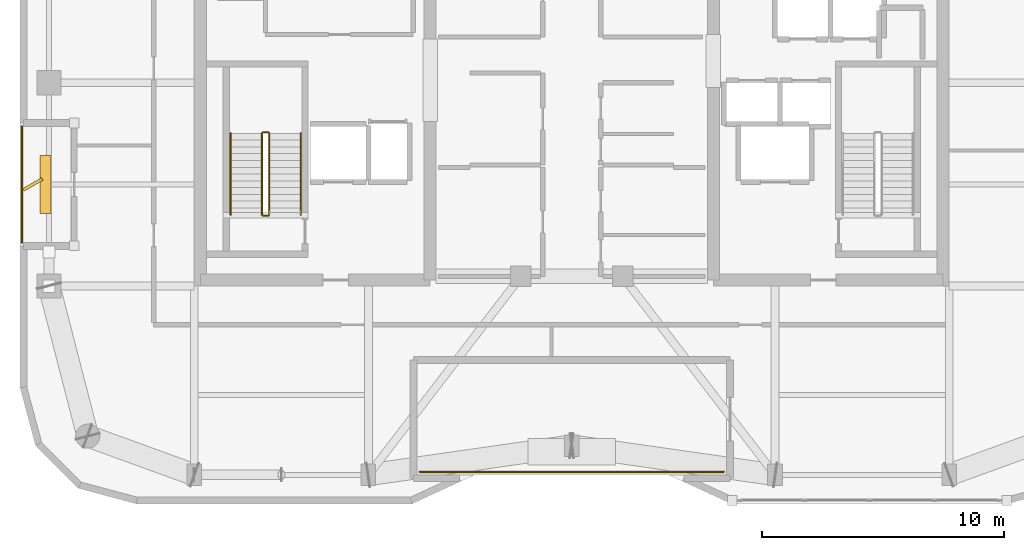
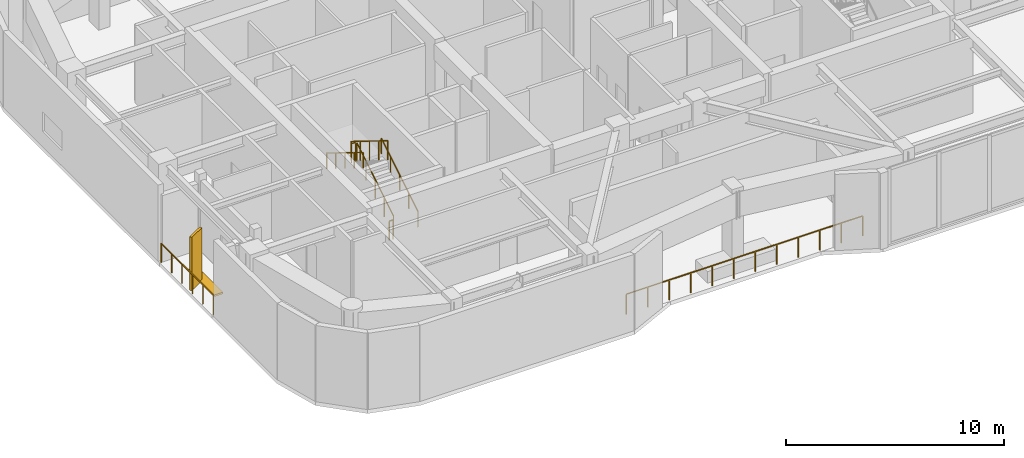
# One storey, part 13 of 14: 8 railings, 2 shading devices.
"""IFC4 building model written with IfcOpenShell, lengths in metres."""

import ifcopenshell
import ifcopenshell.guid

model = None  # the IFC model being written
_history = None  # IfcOwnerHistory: only IFC2X3 demands one
_inside = {}  # id of a spatial element -> (the spatial element, [elements in it])
_under = {}  # id of a project, library or spatial element -> (it, [spatial elements below it])
_declared = {}  # id of a project -> (the project, [libraries it declares])
_typed = {}  # id of a type object -> (the type object, [elements of that type])
_made_of = {}  # id of a material, layer set ... -> (it, [elements and type objects made of it])


def new_model(schema):
    """Start an empty IFC model of exactly this schema.

    Asked for "IFC4X3", IfcOpenShell would pick the latest addendum, in which some entities
    have other attributes; the version numbers below select the first issue.
    IFC2X3 requires an IfcOwnerHistory on every rooted entity: one is made here for all.
    """
    global model, _history
    if schema == "IFC4X3":
        model = ifcopenshell.file(schema_version=(4, 3, 0, 0))
    else:
        model = ifcopenshell.file(schema=schema)
    _inside.clear()
    _under.clear()
    _declared.clear()
    _typed.clear()
    _made_of.clear()
    _history = None
    if model.schema == "IFC2X3":
        org = make("IfcOrganization", Name="unknown")
        user = make(
            "IfcPersonAndOrganization",
            ThePerson=make("IfcPerson", FamilyName="unknown"),
            TheOrganization=org,
        )
        app = make(
            "IfcApplication",
            ApplicationDeveloper=org,
            Version="unknown",
            ApplicationFullName="unknown",
            ApplicationIdentifier="unknown",
        )
        _history = make(
            "IfcOwnerHistory",
            OwningUser=user,
            OwningApplication=app,
            ChangeAction="ADDED",
            CreationDate=0,
        )
    return model


def make(cls, **values):
    """One entity of the class cls with the attributes given. An attribute that is None is left unset."""
    return model.create_entity(
        cls, **{name: value for name, value in values.items() if value is not None}
    )


def rooted(cls, **values):
    """An entity with a GlobalId (a new one), such as an element, a storey or a relation."""
    return make(cls, GlobalId=ifcopenshell.guid.new(), OwnerHistory=_history, **values)


def si_unit(unit_type, name, prefix=None):
    """IfcSIUnit, for example si_unit("LENGTHUNIT", "METRE", prefix="MILLI")."""
    return make("IfcSIUnit", UnitType=unit_type, Prefix=prefix, Name=name)


def assignment(units):
    """IfcUnitAssignment: the units of a project."""
    return None if units is None else make("IfcUnitAssignment", Units=units)


def point(xyz):
    """IfcCartesianPoint."""
    return None if xyz is None else make("IfcCartesianPoint", Coordinates=xyz)


def direction(xyz):
    """IfcDirection."""
    return None if xyz is None else make("IfcDirection", DirectionRatios=xyz)


def frame(location, z_axis=None, x_axis=None):
    """IfcAxis2Placement3D, a coordinate frame: its origin and axes. An axis left out is left unset."""
    return make(
        "IfcAxis2Placement3D",
        Location=point(location),
        Axis=direction(z_axis),
        RefDirection=direction(x_axis),
    )


def frame_2d(location, x_axis=None):
    """IfcAxis2Placement2D, a coordinate frame in the plane: its origin and x axis."""
    return make(
        "IfcAxis2Placement2D", Location=point(location), RefDirection=direction(x_axis)
    )


def origin():
    """The frame at (0, 0, 0) with its axes left unset."""
    return frame((0.0, 0.0, 0.0))


def origin_2d():
    """The frame at (0, 0) in the plane with its x axis left unset."""
    return frame_2d((0.0, 0.0))


def place(relative_to, where):
    """IfcLocalPlacement: puts the frame where relative to a parent placement (None: the world)."""
    return make(
        "IfcLocalPlacement", PlacementRelTo=relative_to, RelativePlacement=where
    )


def context(
    kind, dimensions, precision=None, world=None, true_north=None, identifier=None
):
    """IfcGeometricRepresentationContext, for example the 3D "Model" context."""
    return make(
        "IfcGeometricRepresentationContext",
        ContextIdentifier=identifier,
        ContextType=kind,
        CoordinateSpaceDimension=dimensions,
        Precision=precision,
        WorldCoordinateSystem=world,
        TrueNorth=true_north,
    )


def subcontext(parent, identifier, kind, view, scale=None):
    """IfcGeometricRepresentationSubContext, for example "Body" below "Model"."""
    return make(
        "IfcGeometricRepresentationSubContext",
        ContextIdentifier=identifier,
        ContextType=kind,
        ParentContext=parent,
        TargetScale=scale,
        TargetView=view,
    )


def project(units=None, contexts=None):
    """IfcProject with its units and contexts."""
    return rooted(
        "IfcProject",
        Name="project",
        RepresentationContexts=contexts,
        UnitsInContext=assignment(units),
    )


def spatial(cls, under=None, at=None, **own):
    """A site, building, storey or space (cls), placed at a placement, below another one or the project."""
    s = rooted(cls, ObjectPlacement=at, **own)
    if under is not None:
        _under.setdefault(under.id(), (under, []))[1].append(s)
    return s


def profile(cls, at=None, kind="AREA", **sizes):
    """A parametric profile (cls). Its sizes go by their IFC names, for example OverallWidth=200.0."""
    return make(cls, ProfileType=kind, Position=at, **sizes)


def rectangle(**sizes):
    """IfcRectangleProfileDef."""
    return profile("IfcRectangleProfileDef", **sizes)


def extrude(swept, where, along, depth):
    """IfcExtrudedAreaSolid: the profile swept, set in the frame where, extruded along a direction by depth."""
    return make(
        "IfcExtrudedAreaSolid",
        SweptArea=swept,
        Position=where,
        ExtrudedDirection=direction(along),
        Depth=depth,
    )


def shape(context_of_items, identifier, shape_type, items):
    """IfcShapeRepresentation: the items that make up one representation, for example the "Body"."""
    return make(
        "IfcShapeRepresentation",
        ContextOfItems=context_of_items,
        RepresentationIdentifier=identifier,
        RepresentationType=shape_type,
        Items=items,
    )


def material(Name=None, Category=None):
    """IfcMaterial."""
    return make("IfcMaterial", Name=Name, Category=Category)


def made_of(thing, what):
    """Note that an element or type object is made of a material, layer set ...; save() writes the relation."""
    if what is not None:
        _made_of.setdefault(what.id(), (what, []))[1].append(thing)
    return thing


def type_object(cls, material=None, **own):
    """A type object (cls), such as IfcWallType, which elements share."""
    return made_of(rooted(cls, **own), material)


def element(
    cls,
    number,
    at=None,
    inside=None,
    cuts=None,
    type_object=None,
    material=None,
    context=None,
    identifier="Body",
    shape_type=None,
    held_by="IfcProductDefinitionShape",
    body=None,
    shapes=None,
    **own,
):
    """One element of the class cls, such as IfcWall. Its Tag is "e" and its number.

    at: its placement. inside: the storey or other place that contains it. cuts: it is an
    opening in that element (IfcRelVoidsElement). A single representation is given by context,
    identifier, shape_type and body (its items); several are given by shapes. held_by: the class
    of the entity that holds the representations. save() writes the other relations.
    """
    e = rooted(cls, Tag="e%d" % number, ObjectPlacement=at, **own)
    if body is not None:
        shapes = [shape(context, identifier, shape_type, body)]
    if shapes is not None:
        e.Representation = make(held_by, Representations=shapes)
    if inside is not None:
        _inside.setdefault(inside.id(), (inside, []))[1].append(e)
    if cuts is not None:
        rooted(
            "IfcRelVoidsElement", RelatingBuildingElement=cuts, RelatedOpeningElement=e
        )
    if type_object is not None:
        _typed.setdefault(type_object.id(), (type_object, []))[1].append(e)
    return made_of(e, material)


def aggregate(whole, parts):
    """IfcRelAggregates: a whole, such as a stair, and the parts it consists of."""
    return rooted("IfcRelAggregates", RelatingObject=whole, RelatedObjects=parts)


def save(model, path):
    """Write the relations noted so far, then the file.

    IfcRelAggregates (storeys below a building ...), IfcRelContainedInSpatialStructure (elements
    in a storey), IfcRelDefinesByType, IfcRelAssociatesMaterial and IfcRelDeclares: one each for
    every whole, place, type object, material and project.
    """
    for whole, parts in _under.values():
        aggregate(whole, parts)
    for where, things in _inside.values():
        rooted(
            "IfcRelContainedInSpatialStructure",
            RelatedElements=things,
            RelatingStructure=where,
        )
    for kind, things in _typed.values():
        rooted("IfcRelDefinesByType", RelatedObjects=things, RelatingType=kind)
    for what, things in _made_of.values():
        rooted("IfcRelAssociatesMaterial", RelatedObjects=things, RelatingMaterial=what)
    for by, libraries in _declared.values():
        rooted("IfcRelDeclares", RelatingContext=by, RelatedDefinitions=libraries)
    model.write(path)


model = new_model("IFC4")

# Units and contexts
model_context = context("Model", 3, precision=1e-05, world=origin(), true_north=direction((0.0, 1.0)))
body_context = subcontext(model_context, "Body", "Model", "MODEL_VIEW")
ifc_project = project(units=[si_unit("LENGTHUNIT", "METRE"), si_unit("AREAUNIT", "SQUARE_METRE"), si_unit("VOLUMEUNIT", "CUBIC_METRE"), si_unit("PLANEANGLEUNIT", "RADIAN"), si_unit("MASSUNIT", "GRAM", prefix="KILO")], contexts=[model_context])

# Site, building, storey
site_placement = place(None, origin())
site = spatial("IfcSite", under=ifc_project, at=site_placement, CompositionType="ELEMENT")
building_placement = place(site_placement, origin())
building = spatial("IfcBuilding", under=site, at=building_placement, Name="Kiyonajd Concourse Tower", CompositionType="ELEMENT")
storey_placement = place(building_placement, frame((0.0, 0.0, 294.0)))
storey = spatial("IfcBuildingStorey", under=building, at=storey_placement, Name="L74", CompositionType="ELEMENT", Elevation=294.0)

# Railings
ifc_material_1 = material(Name="Thermally Broken Anodised Aluminium", Category="aluminium")
railing_type_1 = type_object("IfcRailingType", Name="RL-GRD-LOG", PredefinedType="GUARDRAIL", material=ifc_material_1)
railing_1_placement = place(storey_placement, frame((25.280029296875, 34.199951171875, 0.0)))
element("IfcRailing", 1, at=railing_1_placement, inside=storey, type_object=railing_type_1, Name="L74 Engawa Loggia Perimeter Guard LOG-W", PredefinedType="GUARDRAIL", context=body_context, shape_type="SweptSolid", body=[
    extrude(rectangle(XDim=0.048095703125, YDim=0.048095703125, at=origin_2d()), frame((0.0, 0.0, 1.076171875), z_axis=(0.0, -1.0, 0.0), x_axis=(1.0, 0.0, 0.0)), (0.0, 0.0, 1.0), 4.800048828125),
    extrude(rectangle(XDim=0.0419921875, YDim=0.0419921875, at=origin_2d()), origin(), (0.0, 0.0, 1.0), 1.052001953125),
    extrude(rectangle(XDim=0.0419921875, YDim=0.0419921875, at=origin_2d()), frame((0.0, -0.9599609375, 0.0)), (0.0, 0.0, 1.0), 1.052001953125),
    extrude(rectangle(XDim=0.0419921875, YDim=0.0419921875, at=origin_2d()), frame((0.0, -1.919921875, 0.0)), (0.0, 0.0, 1.0), 1.052001953125),
    extrude(rectangle(XDim=0.0419921875, YDim=0.0419921875, at=origin_2d()), frame((0.0, -2.880126953125, 0.0)), (0.0, 0.0, 1.0), 1.052001953125),
    extrude(rectangle(XDim=0.0419921875, YDim=0.0419921875, at=origin_2d()), frame((0.0, -3.840087890625, 0.0)), (0.0, 0.0, 1.0), 1.052001953125),
    extrude(rectangle(XDim=0.0419921875, YDim=0.0419921875, at=origin_2d()), frame((0.0, -4.800048828125, 0.0)), (0.0, 0.0, 1.0), 1.052001953125),
])
railing_type_2 = type_object("IfcRailingType", Name="RL-GRD-SKY", PredefinedType="GUARDRAIL", material=ifc_material_1)
railing_2_placement = place(storey_placement, frame((41.719970703125, 19.919921875, 0.0)))
element("IfcRailing", 2, at=railing_2_placement, inside=storey, type_object=railing_type_2, Name="L74 Summit Horizon Sky Garden Wind Baffle Guard", PredefinedType="GUARDRAIL", context=body_context, shape_type="SweptSolid", body=[
    extrude(rectangle(XDim=0.048095703125, YDim=0.048095703125, at=origin_2d()), frame((0.0, 0.0, 1.1259765625), z_axis=(1.0, 0.0, 0.0), x_axis=(0.0, 1.0, 0.0)), (0.0, 0.0, 1.0), 12.56005859375),
    extrude(rectangle(XDim=0.0419921875, YDim=0.0419921875, at=origin_2d()), origin(), (0.0, 0.0, 1.0), 1.101806640625),
    extrude(rectangle(XDim=0.0419921875, YDim=0.0419921875, at=origin_2d()), frame((1.141845703125, 0.0, 0.0)), (0.0, 0.0, 1.0), 1.101806640625),
    extrude(rectangle(XDim=0.0419921875, YDim=0.0419921875, at=origin_2d()), frame((2.28369140625, 0.0, 0.0)), (0.0, 0.0, 1.0), 1.101806640625),
    extrude(rectangle(XDim=0.0419921875, YDim=0.0419921875, at=origin_2d()), frame((3.425537109375, 0.0, 0.0)), (0.0, 0.0, 1.0), 1.101806640625),
    extrude(rectangle(XDim=0.0419921875, YDim=0.0419921875, at=origin_2d()), frame((4.5673828125, 0.0, 0.0)), (0.0, 0.0, 1.0), 1.101806640625),
    extrude(rectangle(XDim=0.0419921875, YDim=0.0419921875, at=origin_2d()), frame((5.709228515625, 0.0, 0.0)), (0.0, 0.0, 1.0), 1.101806640625),
    extrude(rectangle(XDim=0.0419921875, YDim=0.0419921875, at=origin_2d()), frame((6.850830078125, 0.0, 0.0)), (0.0, 0.0, 1.0), 1.101806640625),
    extrude(rectangle(XDim=0.0419921875, YDim=0.0419921875, at=origin_2d()), frame((7.99267578125, 0.0, 0.0)), (0.0, 0.0, 1.0), 1.101806640625),
    extrude(rectangle(XDim=0.0419921875, YDim=0.0419921875, at=origin_2d()), frame((9.134521484375, 0.0, 0.0)), (0.0, 0.0, 1.0), 1.101806640625),
    extrude(rectangle(XDim=0.0419921875, YDim=0.0419921875, at=origin_2d()), frame((10.2763671875, 0.0, 0.0)), (0.0, 0.0, 1.0), 1.101806640625),
    extrude(rectangle(XDim=0.0419921875, YDim=0.0419921875, at=origin_2d()), frame((11.418212890625, 0.0, 0.0)), (0.0, 0.0, 1.0), 1.101806640625),
    extrude(rectangle(XDim=0.0419921875, YDim=0.0419921875, at=origin_2d()), frame((12.56005859375, 0.0, 0.0)), (0.0, 0.0, 1.0), 1.101806640625),
])
ifc_material_2 = material(Name="Steel ASTM A500 Grade C", Category="steel")
railing_type_3 = type_object("IfcRailingType", Name="RL-GRD-STR", PredefinedType="GUARDRAIL", material=ifc_material_2)
railing_3_placement = place(storey_placement, frame((35.5, 30.550048828125, 0.173095703125)))
element("IfcRailing", 3, at=railing_3_placement, inside=storey, type_object=railing_type_3, Name="L74 ST1 stair guard 1", PredefinedType="GUARDRAIL", context=body_context, shape_type="SweptSolid", body=[
    extrude(rectangle(XDim=0.048095703125, YDim=0.048095703125, at=origin_2d()), frame((0.0, 0.0, 1.076171875), z_axis=(0.0, 0.850606129759, 0.525803396734), x_axis=(-1.0, 0.0, 0.0)), (0.0, 0.0, 1.0), 3.949951171875),
    extrude(rectangle(XDim=0.0419921875, YDim=0.0419921875, at=origin_2d()), origin(), (0.0, 0.0, 1.0), 1.052001953125),
    extrude(rectangle(XDim=0.0419921875, YDim=0.0419921875, at=origin_2d()), frame((0.0, 0.83984375, 0.519287109375)), (0.0, 0.0, 1.0), 1.052001953125),
    extrude(rectangle(XDim=0.0419921875, YDim=0.0419921875, at=origin_2d()), frame((0.0, 1.679931640625, 1.03857421875)), (0.0, 0.0, 1.0), 1.052001953125),
    extrude(rectangle(XDim=0.0419921875, YDim=0.0419921875, at=origin_2d()), frame((0.0, 2.52001953125, 1.5576171875)), (0.0, 0.0, 1.0), 1.052001953125),
    extrude(rectangle(XDim=0.0419921875, YDim=0.0419921875, at=origin_2d()), frame((0.0, 3.35986328125, 2.076904296875)), (0.0, 0.0, 1.0), 1.052001953125),
])
railing_4_placement = place(storey_placement, frame((35.449951171875, 33.9599609375, 2.25)))
element("IfcRailing", 4, at=railing_4_placement, inside=storey, type_object=railing_type_3, Name="L74 ST1 stair guard 2", PredefinedType="GUARDRAIL", context=body_context, shape_type="SweptSolid", body=[
    extrude(rectangle(XDim=0.048095703125, YDim=0.048095703125, at=origin_2d()), frame((0.0, 0.0, 1.076171875), z_axis=(-1.0, 0.0, 0.0), x_axis=(0.0, -1.0, 0.0)), (0.0, 0.0, 1.0), 0.199951171875),
    extrude(rectangle(XDim=0.0419921875, YDim=0.0419921875, at=origin_2d()), origin(), (0.0, 0.0, 1.0), 1.052001953125),
    extrude(rectangle(XDim=0.0419921875, YDim=0.0419921875, at=origin_2d()), frame((-0.199951171875, 0.0, 0.0)), (0.0, 0.0, 1.0), 1.052001953125),
])
railing_5_placement = place(storey_placement, frame((35.199951171875, 33.909912109375, 2.423095703125)))
element("IfcRailing", 5, at=railing_5_placement, inside=storey, type_object=railing_type_3, Name="L74 ST1 stair guard 3", PredefinedType="GUARDRAIL", context=body_context, shape_type="SweptSolid", body=[
    extrude(rectangle(XDim=0.048095703125, YDim=0.048095703125, at=origin_2d()), frame((0.0, 0.0, 1.076171875), z_axis=(0.0, -0.850606129759, 0.525803396734), x_axis=(1.0, 0.0, 0.0)), (0.0, 0.0, 1.0), 3.949951171875),
    extrude(rectangle(XDim=0.0419921875, YDim=0.0419921875, at=origin_2d()), origin(), (0.0, 0.0, 1.0), 1.052001953125),
    extrude(rectangle(XDim=0.0419921875, YDim=0.0419921875, at=origin_2d()), frame((0.0, -0.83984375, 0.519287109375)), (0.0, 0.0, 1.0), 1.052001953125),
    extrude(rectangle(XDim=0.0419921875, YDim=0.0419921875, at=origin_2d()), frame((0.0, -1.679931640625, 1.03857421875)), (0.0, 0.0, 1.0), 1.052001953125),
    extrude(rectangle(XDim=0.0419921875, YDim=0.0419921875, at=origin_2d()), frame((0.0, -2.52001953125, 1.5576171875)), (0.0, 0.0, 1.0), 1.052001953125),
    extrude(rectangle(XDim=0.0419921875, YDim=0.0419921875, at=origin_2d()), frame((0.0, -3.35986328125, 2.076904296875)), (0.0, 0.0, 1.0), 1.052001953125),
])
railing_6_placement = place(storey_placement, frame((35.449951171875, 30.5, 0.0)))
element("IfcRailing", 6, at=railing_6_placement, inside=storey, type_object=railing_type_3, Name="L74 ST1 stair guard 4", PredefinedType="GUARDRAIL", context=body_context, shape_type="SweptSolid", body=[
    extrude(rectangle(XDim=0.048095703125, YDim=0.048095703125, at=origin_2d()), frame((0.0, 0.0, 1.076171875), z_axis=(-1.0, 0.0, 0.0), x_axis=(0.0, -1.0, 0.0)), (0.0, 0.0, 1.0), 0.199951171875),
    extrude(rectangle(XDim=0.0419921875, YDim=0.0419921875, at=origin_2d()), origin(), (0.0, 0.0, 1.0), 1.052001953125),
    extrude(rectangle(XDim=0.0419921875, YDim=0.0419921875, at=origin_2d()), frame((-0.199951171875, 0.0, 0.0)), (0.0, 0.0, 1.0), 1.052001953125),
])
ifc_material_3 = material(Name="Brushed Stainless Steel Cab Assembly", Category="steel")
railing_type_4 = type_object("IfcRailingType", Name="RL-HND-900", PredefinedType="HANDRAIL", material=ifc_material_3)
railing_7_placement = place(storey_placement, frame((36.800048828125, 30.550048828125, 0.173095703125)))
element("IfcRailing", 7, at=railing_7_placement, inside=storey, type_object=railing_type_4, Name="L74 ST1 stair handrail 1", PredefinedType="HANDRAIL", context=body_context, shape_type="SweptSolid", body=[
    extrude(rectangle(XDim=0.048095703125, YDim=0.048095703125, at=origin_2d()), frame((0.0, 0.0, 0.8759765625), z_axis=(0.0, 0.850606129759, 0.525803396734), x_axis=(-1.0, 0.0, 0.0)), (0.0, 0.0, 1.0), 3.949951171875),
    extrude(rectangle(XDim=0.0419921875, YDim=0.0419921875, at=origin_2d()), origin(), (0.0, 0.0, 1.0), 0.851806640625),
    extrude(rectangle(XDim=0.0419921875, YDim=0.0419921875, at=origin_2d()), frame((0.0, 0.83984375, 0.519287109375)), (0.0, 0.0, 1.0), 0.851806640625),
    extrude(rectangle(XDim=0.0419921875, YDim=0.0419921875, at=origin_2d()), frame((0.0, 1.679931640625, 1.03857421875)), (0.0, 0.0, 1.0), 0.851806640625),
    extrude(rectangle(XDim=0.0419921875, YDim=0.0419921875, at=origin_2d()), frame((0.0, 2.52001953125, 1.5576171875)), (0.0, 0.0, 1.0), 0.851806640625),
    extrude(rectangle(XDim=0.0419921875, YDim=0.0419921875, at=origin_2d()), frame((0.0, 3.35986328125, 2.076904296875)), (0.0, 0.0, 1.0), 0.851806640625),
])
railing_8_placement = place(storey_placement, frame((33.89990234375, 33.909912109375, 2.423095703125)))
element("IfcRailing", 8, at=railing_8_placement, inside=storey, type_object=railing_type_4, Name="L74 ST1 stair handrail 2", PredefinedType="HANDRAIL", context=body_context, shape_type="SweptSolid", body=[
    extrude(rectangle(XDim=0.048095703125, YDim=0.048095703125, at=origin_2d()), frame((0.0, 0.0, 0.8759765625), z_axis=(0.0, -0.850606129759, 0.525803396734), x_axis=(1.0, 0.0, 0.0)), (0.0, 0.0, 1.0), 3.949951171875),
    extrude(rectangle(XDim=0.0419921875, YDim=0.0419921875, at=origin_2d()), origin(), (0.0, 0.0, 1.0), 0.851806640625),
    extrude(rectangle(XDim=0.0419921875, YDim=0.0419921875, at=origin_2d()), frame((0.0, -0.83984375, 0.519287109375)), (0.0, 0.0, 1.0), 0.851806640625),
    extrude(rectangle(XDim=0.0419921875, YDim=0.0419921875, at=origin_2d()), frame((0.0, -1.679931640625, 1.03857421875)), (0.0, 0.0, 1.0), 0.851806640625),
    extrude(rectangle(XDim=0.0419921875, YDim=0.0419921875, at=origin_2d()), frame((0.0, -2.52001953125, 1.5576171875)), (0.0, 0.0, 1.0), 0.851806640625),
    extrude(rectangle(XDim=0.0419921875, YDim=0.0419921875, at=origin_2d()), frame((0.0, -3.35986328125, 2.076904296875)), (0.0, 0.0, 1.0), 0.851806640625),
])

# Shading devices
ifc_material_4 = material(Name="Precast concrete C50/60", Category="concrete")
shading_device_type_1 = type_object("IfcShadingDeviceType", Name="SH-FIN-900", PredefinedType="USERDEFINED", material=ifc_material_4)
shading_device_1_placement = place(storey_placement, frame((25.72998046875, 31.800048828125, 0.0), z_axis=(0.0, 0.0, 1.0), x_axis=(0.866025403784, 0.5, 0.0)))
element("IfcShadingDevice", 9, at=shading_device_1_placement, inside=storey, type_object=shading_device_type_1, Name="L74 Angled Koshi Solar Fin LOG-W", ObjectType="FIN", PredefinedType="USERDEFINED", context=body_context, shape_type="SweptSolid", body=[
    extrude(rectangle(XDim=0.89990234375, YDim=0.1201171875, at=origin_2d()), origin(), (0.0, 0.0, 1.0), 3.0),
])
shading_device_type_2 = type_object("IfcShadingDeviceType", Name="SH-LVR-600", PredefinedType="JALOUSIE", material=ifc_material_1)
shading_device_2_placement = place(storey_placement, frame((26.25, 31.800048828125, 0.0), z_axis=(0.0, 0.0, 1.0), x_axis=(0.0, 1.0, 0.0)))
element("IfcShadingDevice", 10, at=shading_device_2_placement, inside=storey, type_object=shading_device_type_2, Name="L74 Loggia Threshold Louver LOG-W", PredefinedType="JALOUSIE", context=body_context, shape_type="SweptSolid", body=[
    extrude(rectangle(XDim=2.39990234375, YDim=0.449951171875, at=origin_2d()), origin(), (0.0, 0.0, 1.0), 0.10009765625),
])

save(model, "model.ifc")
